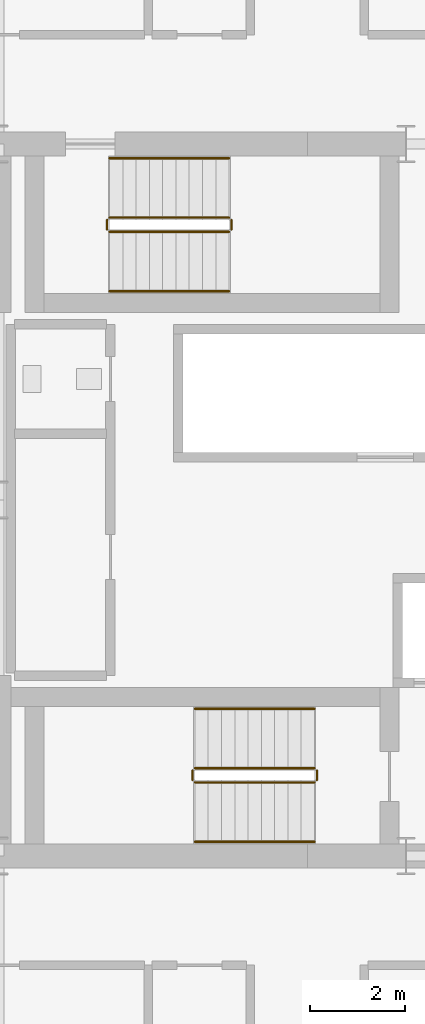
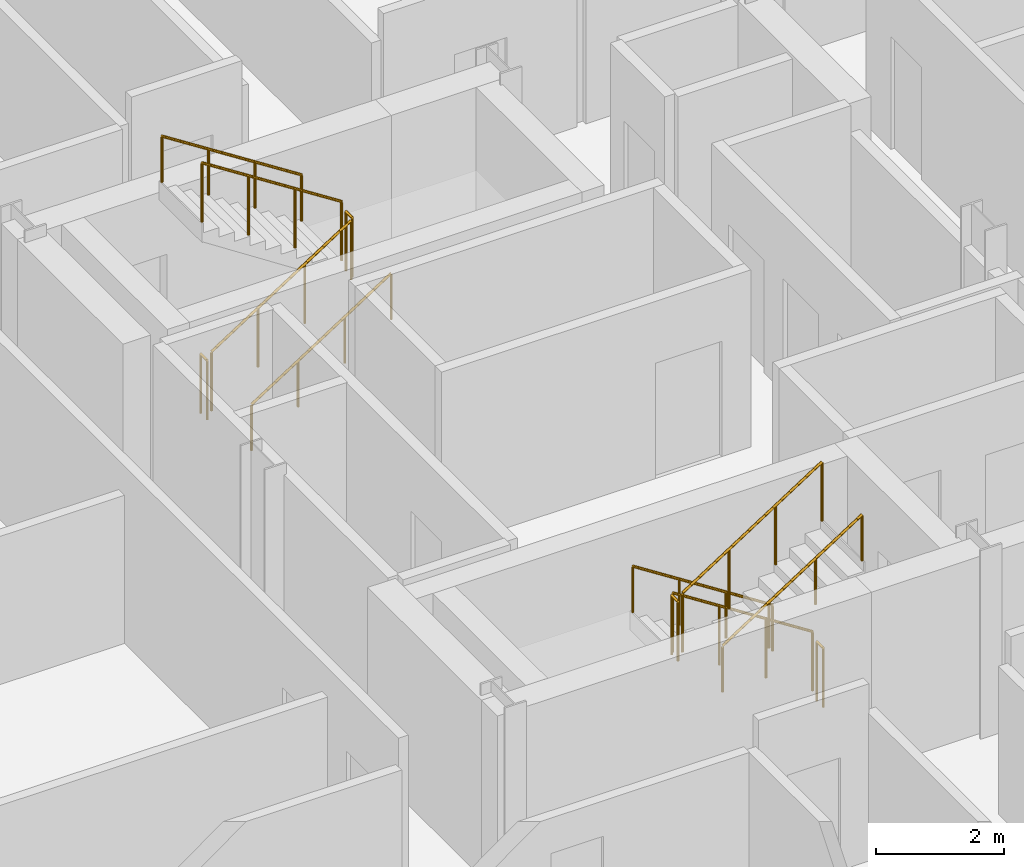
# One storey, part 22 of 23: 12 railings.
"""IFC4 building model written with IfcOpenShell, lengths in metres."""

from ifc_helpers import new_model, si_unit, direction, frame, origin, origin_2d, place, context, subcontext, project, spatial, circle, extrude, material, type_object, element, save


model = new_model("IFC4")

# Units and contexts
model_context = context("Model", 3, precision=1e-05, world=origin(), true_north=direction((0.0, 1.0)))
body_context = subcontext(model_context, "Body", "Model", "MODEL_VIEW")
ifc_project = project(units=[si_unit("LENGTHUNIT", "METRE"), si_unit("AREAUNIT", "SQUARE_METRE"), si_unit("VOLUMEUNIT", "CUBIC_METRE"), si_unit("PLANEANGLEUNIT", "RADIAN"), si_unit("MASSUNIT", "GRAM", prefix="KILO")], contexts=[model_context])

# Site, building, storey
site_placement = place(None, origin())
site = spatial("IfcSite", under=ifc_project, at=site_placement, CompositionType="ELEMENT")
building_placement = place(site_placement, origin())
building = spatial("IfcBuilding", under=site, at=building_placement, Name="Barlavira Tower and Art Museum", CompositionType="ELEMENT")
storey_placement = place(building_placement, frame((0.0, 0.0, 205.199951171875)))
storey = spatial("IfcBuildingStorey", under=building, at=storey_placement, Name="L53", CompositionType="ELEMENT", Elevation=205.199951171875)

# Railings
ifc_material = material(Name="Brushed stainless steel", Category="steel")
railing_type_1 = type_object("IfcRailingType", Name="Interior Void and Landing Guard Railing 1150", PredefinedType="GUARDRAIL", material=ifc_material)
railing_1_placement = place(storey_placement, frame((0.14990234375, -5.64990234375, 0.179931640625)))
element("IfcRailing", 1, at=railing_1_placement, inside=storey, type_object=railing_type_1, Name="L53 ST-T1 stair guard 1", PredefinedType="GUARDRAIL", context=body_context, shape_type="SweptSolid", body=[
    extrude(circle(Radius=0.02392578125, at=origin_2d()), frame((0.0, 0.0, 1.1259765625), z_axis=(-0.841162588446, 0.0, 0.540782303519), x_axis=(0.0, -1.0, 0.0)), (0.0, 0.0, 1.0), 2.995849609375),
    extrude(circle(Radius=0.02099609375, at=origin_2d()), origin(), (0.0, 0.0, 1.0), 1.101806640625),
    extrude(circle(Radius=0.02099609375, at=origin_2d()), frame((-0.840087890625, 0.0, 0.5400390625)), (0.0, 0.0, 1.0), 1.101806640625),
    extrude(circle(Radius=0.02099609375, at=origin_2d()), frame((-1.679931640625, 0.0, 1.080078125)), (0.0, 0.0, 1.0), 1.101806640625),
    extrude(circle(Radius=0.02099609375, at=origin_2d()), frame((-2.52001953125, 0.0, 1.6201171875)), (0.0, 0.0, 1.0), 1.101806640625),
])
railing_2_placement = place(storey_placement, frame((-2.419921875, -5.699951171875, 1.800048828125)))
element("IfcRailing", 2, at=railing_2_placement, inside=storey, type_object=railing_type_1, Name="L53 ST-T1 stair guard 2", PredefinedType="GUARDRAIL", context=body_context, shape_type="SweptSolid", body=[
    extrude(circle(Radius=0.02392578125, at=origin_2d()), frame((0.0, 0.0, 1.1259765625), z_axis=(0.0, -1.0, 0.0), x_axis=(1.0, 0.0, 0.0)), (0.0, 0.0, 1.0), 0.199951171875),
    extrude(circle(Radius=0.02099609375, at=origin_2d()), origin(), (0.0, 0.0, 1.0), 1.101806640625),
    extrude(circle(Radius=0.02099609375, at=origin_2d()), frame((0.0, -0.199951171875, 0.0)), (0.0, 0.0, 1.0), 1.101806640625),
])
railing_3_placement = place(storey_placement, frame((-2.3701171875, -5.949951171875, 1.97998046875)))
element("IfcRailing", 3, at=railing_3_placement, inside=storey, type_object=railing_type_1, Name="L53 ST-T1 stair guard 3", PredefinedType="GUARDRAIL", context=body_context, shape_type="SweptSolid", body=[
    extrude(circle(Radius=0.02392578125, at=origin_2d()), frame((0.0, 0.0, 1.1259765625), z_axis=(0.841162588446, 0.0, 0.540782303519), x_axis=(0.0, 1.0, 0.0)), (0.0, 0.0, 1.0), 2.995849609375),
    extrude(circle(Radius=0.02099609375, at=origin_2d()), origin(), (0.0, 0.0, 1.0), 1.101806640625),
    extrude(circle(Radius=0.02099609375, at=origin_2d()), frame((0.840087890625, 0.0, 0.5400390625)), (0.0, 0.0, 1.0), 1.101806640625),
    extrude(circle(Radius=0.02099609375, at=origin_2d()), frame((1.679931640625, 0.0, 1.080078125)), (0.0, 0.0, 1.0), 1.101806640625),
    extrude(circle(Radius=0.02099609375, at=origin_2d()), frame((2.52001953125, 0.0, 1.6201171875)), (0.0, 0.0, 1.0), 1.101806640625),
])
railing_4_placement = place(storey_placement, frame((0.199951171875, -5.699951171875, 0.0)))
element("IfcRailing", 4, at=railing_4_placement, inside=storey, type_object=railing_type_1, Name="L53 ST-T1 stair guard 4", PredefinedType="GUARDRAIL", context=body_context, shape_type="SweptSolid", body=[
    extrude(circle(Radius=0.02392578125, at=origin_2d()), frame((0.0, 0.0, 1.1259765625), z_axis=(0.0, -1.0, 0.0), x_axis=(1.0, 0.0, 0.0)), (0.0, 0.0, 1.0), 0.199951171875),
    extrude(circle(Radius=0.02099609375, at=origin_2d()), origin(), (0.0, 0.0, 1.0), 1.101806640625),
    extrude(circle(Radius=0.02099609375, at=origin_2d()), frame((0.0, -0.199951171875, 0.0)), (0.0, 0.0, 1.0), 1.101806640625),
])
railing_5_placement = place(storey_placement, frame((-4.169921875, 5.64990234375, 0.179931640625)))
element("IfcRailing", 5, at=railing_5_placement, inside=storey, type_object=railing_type_1, Name="L53 ST-T2 stair guard 1", PredefinedType="GUARDRAIL", context=body_context, shape_type="SweptSolid", body=[
    extrude(circle(Radius=0.02392578125, at=origin_2d()), frame((0.0, 0.0, 1.1259765625), z_axis=(0.841162588446, 0.0, 0.540782303519), x_axis=(0.0, 1.0, 0.0)), (0.0, 0.0, 1.0), 2.995849609375),
    extrude(circle(Radius=0.02099609375, at=origin_2d()), origin(), (0.0, 0.0, 1.0), 1.101806640625),
    extrude(circle(Radius=0.02099609375, at=origin_2d()), frame((0.840087890625, 0.0, 0.5400390625)), (0.0, 0.0, 1.0), 1.101806640625),
    extrude(circle(Radius=0.02099609375, at=origin_2d()), frame((1.679931640625, 0.0, 1.080078125)), (0.0, 0.0, 1.0), 1.101806640625),
    extrude(circle(Radius=0.02099609375, at=origin_2d()), frame((2.52001953125, 0.0, 1.6201171875)), (0.0, 0.0, 1.0), 1.101806640625),
])
railing_6_placement = place(storey_placement, frame((-1.60009765625, 5.699951171875, 1.800048828125)))
element("IfcRailing", 6, at=railing_6_placement, inside=storey, type_object=railing_type_1, Name="L53 ST-T2 stair guard 2", PredefinedType="GUARDRAIL", context=body_context, shape_type="SweptSolid", body=[
    extrude(circle(Radius=0.02392578125, at=origin_2d()), frame((0.0, 0.0, 1.1259765625), z_axis=(0.0, 1.0, 0.0), x_axis=(-1.0, 0.0, 0.0)), (0.0, 0.0, 1.0), 0.199951171875),
    extrude(circle(Radius=0.02099609375, at=origin_2d()), origin(), (0.0, 0.0, 1.0), 1.101806640625),
    extrude(circle(Radius=0.02099609375, at=origin_2d()), frame((0.0, 0.199951171875, 0.0)), (0.0, 0.0, 1.0), 1.101806640625),
])
railing_7_placement = place(storey_placement, frame((-1.64990234375, 5.949951171875, 1.97998046875)))
element("IfcRailing", 7, at=railing_7_placement, inside=storey, type_object=railing_type_1, Name="L53 ST-T2 stair guard 3", PredefinedType="GUARDRAIL", context=body_context, shape_type="SweptSolid", body=[
    extrude(circle(Radius=0.02392578125, at=origin_2d()), frame((0.0, 0.0, 1.1259765625), z_axis=(-0.841162588446, 0.0, 0.540782303519), x_axis=(0.0, -1.0, 0.0)), (0.0, 0.0, 1.0), 2.995849609375),
    extrude(circle(Radius=0.02099609375, at=origin_2d()), origin(), (0.0, 0.0, 1.0), 1.101806640625),
    extrude(circle(Radius=0.02099609375, at=origin_2d()), frame((-0.840087890625, 0.0, 0.5400390625)), (0.0, 0.0, 1.0), 1.101806640625),
    extrude(circle(Radius=0.02099609375, at=origin_2d()), frame((-1.679931640625, 0.0, 1.080078125)), (0.0, 0.0, 1.0), 1.101806640625),
    extrude(circle(Radius=0.02099609375, at=origin_2d()), frame((-2.52001953125, 0.0, 1.6201171875)), (0.0, 0.0, 1.0), 1.101806640625),
])
railing_8_placement = place(storey_placement, frame((-4.219970703125, 5.699951171875, 0.0)))
element("IfcRailing", 8, at=railing_8_placement, inside=storey, type_object=railing_type_1, Name="L53 ST-T2 stair guard 4", PredefinedType="GUARDRAIL", context=body_context, shape_type="SweptSolid", body=[
    extrude(circle(Radius=0.02392578125, at=origin_2d()), frame((0.0, 0.0, 1.1259765625), z_axis=(0.0, 1.0, 0.0), x_axis=(-1.0, 0.0, 0.0)), (0.0, 0.0, 1.0), 0.199951171875),
    extrude(circle(Radius=0.02099609375, at=origin_2d()), origin(), (0.0, 0.0, 1.0), 1.101806640625),
    extrude(circle(Radius=0.02099609375, at=origin_2d()), frame((0.0, 0.199951171875, 0.0)), (0.0, 0.0, 1.0), 1.101806640625),
])
railing_type_2 = type_object("IfcRailingType", Name="Stair Pitch Tubular Steel Handrail 920", PredefinedType="HANDRAIL", material=ifc_material)
railing_9_placement = place(storey_placement, frame((0.14990234375, -4.39990234375, 0.179931640625)))
element("IfcRailing", 9, at=railing_9_placement, inside=storey, type_object=railing_type_2, Name="L53 ST-T1 stair handrail 1", PredefinedType="HANDRAIL", context=body_context, shape_type="SweptSolid", body=[
    extrude(circle(Radius=0.02392578125, at=origin_2d()), frame((0.0, 0.0, 0.8759765625), z_axis=(-0.841162588446, 0.0, 0.540782303519), x_axis=(0.0, -1.0, 0.0)), (0.0, 0.0, 1.0), 2.995849609375),
    extrude(circle(Radius=0.02099609375, at=origin_2d()), origin(), (0.0, 0.0, 1.0), 0.851806640625),
    extrude(circle(Radius=0.02099609375, at=origin_2d()), frame((-0.840087890625, 0.0, 0.5400390625)), (0.0, 0.0, 1.0), 0.851806640625),
    extrude(circle(Radius=0.02099609375, at=origin_2d()), frame((-1.679931640625, 0.0, 1.080078125)), (0.0, 0.0, 1.0), 0.851806640625),
    extrude(circle(Radius=0.02099609375, at=origin_2d()), frame((-2.52001953125, 0.0, 1.6201171875)), (0.0, 0.0, 1.0), 0.851806640625),
])
for number, where, name in (
    (10, (-2.3701171875, -7.199951171875, 1.97998046875), "L53 ST-T1 stair handrail 2"),
    (11, (-4.169921875, 4.39990234375, 0.179931640625), "L53 ST-T2 stair handrail 1"),
):
    element("IfcRailing", number, at=place(storey_placement, frame(where)), inside=storey, type_object=railing_type_2, Name=name, PredefinedType="HANDRAIL", context=body_context, shape_type="SweptSolid", body=[
        extrude(circle(Radius=0.02392578125, at=origin_2d()), frame((0.0, 0.0, 0.8759765625), z_axis=(0.841162588446, 0.0, 0.540782303519), x_axis=(0.0, 1.0, 0.0)), (0.0, 0.0, 1.0), 2.995849609375),
        extrude(circle(Radius=0.02099609375, at=origin_2d()), origin(), (0.0, 0.0, 1.0), 0.851806640625),
        extrude(circle(Radius=0.02099609375, at=origin_2d()), frame((0.840087890625, 0.0, 0.5400390625)), (0.0, 0.0, 1.0), 0.851806640625),
        extrude(circle(Radius=0.02099609375, at=origin_2d()), frame((1.679931640625, 0.0, 1.080078125)), (0.0, 0.0, 1.0), 0.851806640625),
        extrude(circle(Radius=0.02099609375, at=origin_2d()), frame((2.52001953125, 0.0, 1.6201171875)), (0.0, 0.0, 1.0), 0.851806640625),
    ])
railing_10_placement = place(storey_placement, frame((-1.64990234375, 7.199951171875, 1.97998046875)))
element("IfcRailing", 12, at=railing_10_placement, inside=storey, type_object=railing_type_2, Name="L53 ST-T2 stair handrail 2", PredefinedType="HANDRAIL", context=body_context, shape_type="SweptSolid", body=[
    extrude(circle(Radius=0.02392578125, at=origin_2d()), frame((0.0, 0.0, 0.8759765625), z_axis=(-0.841162588446, 0.0, 0.540782303519), x_axis=(0.0, -1.0, 0.0)), (0.0, 0.0, 1.0), 2.995849609375),
    extrude(circle(Radius=0.02099609375, at=origin_2d()), origin(), (0.0, 0.0, 1.0), 0.851806640625),
    extrude(circle(Radius=0.02099609375, at=origin_2d()), frame((-0.840087890625, 0.0, 0.5400390625)), (0.0, 0.0, 1.0), 0.851806640625),
    extrude(circle(Radius=0.02099609375, at=origin_2d()), frame((-1.679931640625, 0.0, 1.080078125)), (0.0, 0.0, 1.0), 0.851806640625),
    extrude(circle(Radius=0.02099609375, at=origin_2d()), frame((-2.52001953125, 0.0, 1.6201171875)), (0.0, 0.0, 1.0), 0.851806640625),
])

save(model, "model.ifc")
